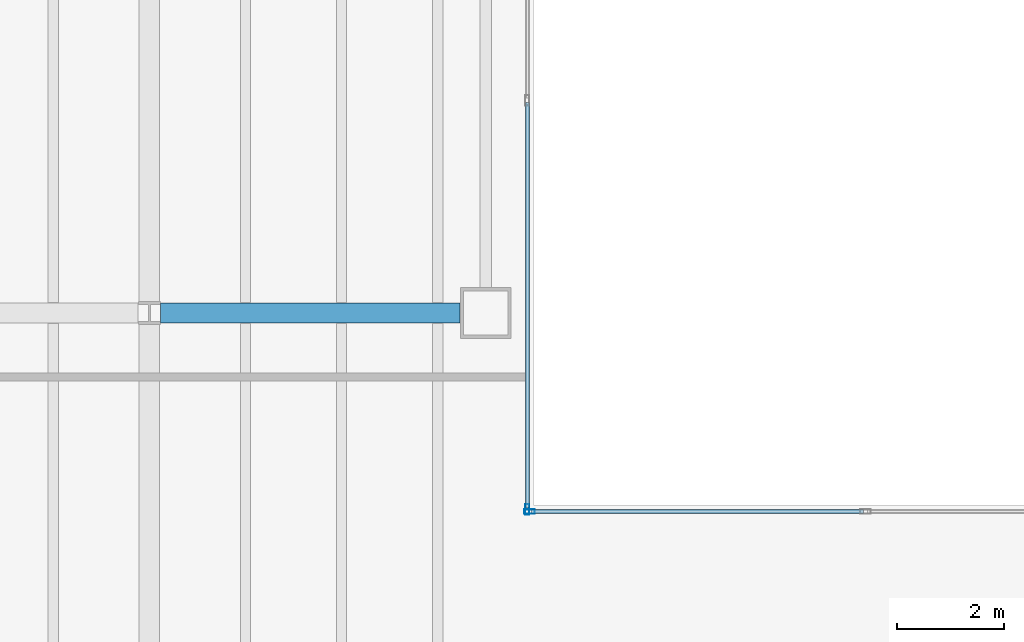
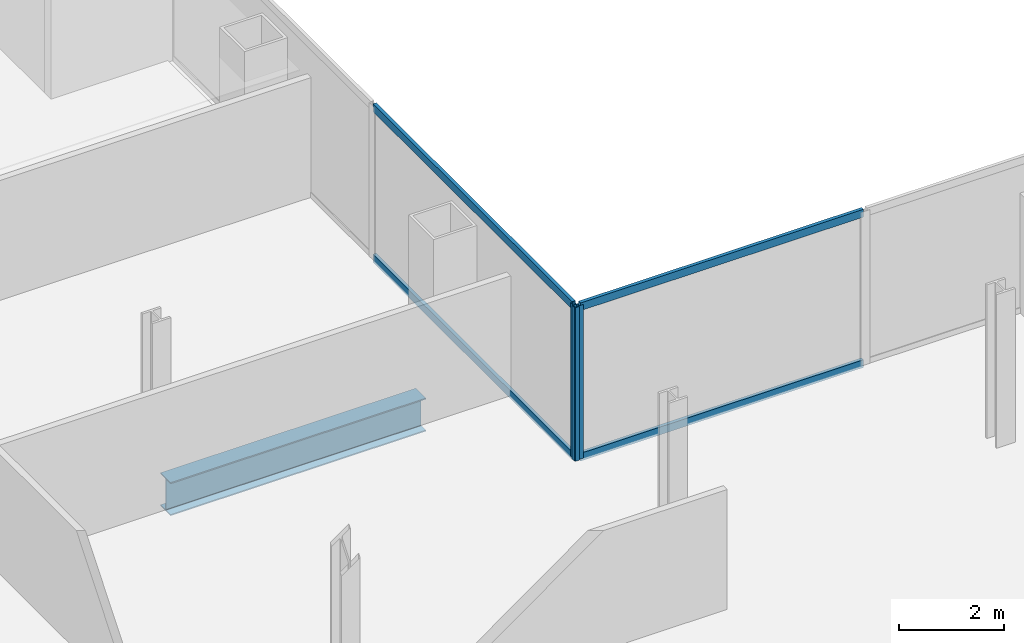
# One storey, part 6 of 24: 6 members, 1 beam, 2 elements without a shape of their own.
"""IFC4 building model written with IfcOpenShell, lengths in metres."""

from ifc_helpers import new_model, si_unit, direction, frame, origin, origin_2d, place, context, subcontext, project, spatial, hollow_rectangle, i_section, extrude, material, material_profile, profile_set, type_object, element, aggregate, save


model = new_model("IFC4")

# Units and contexts
model_context = context("Model", 3, precision=1e-05, world=origin(), true_north=direction((0.0, 1.0)))
body_context = subcontext(model_context, "Body", "Model", "MODEL_VIEW")
ifc_project = project(units=[si_unit("LENGTHUNIT", "METRE"), si_unit("AREAUNIT", "SQUARE_METRE"), si_unit("VOLUMEUNIT", "CUBIC_METRE"), si_unit("PLANEANGLEUNIT", "RADIAN"), si_unit("MASSUNIT", "GRAM", prefix="KILO")], contexts=[model_context])

# Site, building, storey
site_placement = place(None, origin())
site = spatial("IfcSite", under=ifc_project, at=site_placement, CompositionType="ELEMENT")
building_placement = place(site_placement, origin())
building = spatial("IfcBuilding", under=site, at=building_placement, Name="Cobrela Telecom Tower", CompositionType="ELEMENT")
storey_placement = place(building_placement, frame((0.0, 0.0, 85.050048828125)))
storey = spatial("IfcBuildingStorey", under=building, at=storey_placement, Name="L21", CompositionType="ELEMENT", Elevation=85.050048828125)

# Beam
ifc_material_1 = material(Name="Steel ASTM A992 Grade 50", Category="steel")
ifc_material_profile_1 = material_profile(ifc_material_1, i_section(OverallWidth=0.381103515625, OverallDepth=0.77197265625, WebThickness=0.0166015625, FlangeThickness=0.027099609375, FilletRadius=0.01904296875, at=origin_2d()), Name="W30X173")
ifc_profile_set_1 = profile_set([ifc_material_profile_1], Name="Steel ASTM A992 Grade 50")
beam_type = type_object("IfcBeamType", Name="BM-GIRD-04", PredefinedType="USERDEFINED", material=ifc_profile_set_1)
beam_placement = place(storey_placement, frame((21.8095703125, 28.800048828125, -0.666015625), z_axis=(1.0, 0.0, 0.0), x_axis=(0.0, 1.0, 0.0)))
element("IfcBeam", 1, at=beam_placement, inside=storey, type_object=beam_type, Name="L21 Primary Girder X24", ObjectType="GIRDER", PredefinedType="USERDEFINED", context=body_context, shape_type="SweptSolid", body=[
    extrude(i_section(OverallWidth=0.381103515625, OverallDepth=0.77197265625, WebThickness=0.0166015625, FlangeThickness=0.027099609375, FilletRadius=0.01904296875, at=origin_2d()), origin(), (0.0, 0.0, 1.0), 5.6103515625),
])

# Curtain wall, member
ifc_material_2 = material(Name="Anodized Bronze Aluminium 6063-T6", Category="aluminium")
curtain_wall_type = type_object("IfcCurtainWallType", Name="CW-SYS-DATA", PredefinedType="USERDEFINED", material=ifc_material_2)
curtain_wall_1_placement = place(storey_placement, origin())
curtain_wall_1 = element("IfcCurtainWall", 2, at=curtain_wall_1_placement, inside=storey, type_object=curtain_wall_type, Name="L21 Unitised Bronze Curtain Wall 10", ObjectType="UNITISED CURTAIN WALL", PredefinedType="USERDEFINED")
ifc_material_profile_2 = material_profile(ifc_material_2, hollow_rectangle(XDim=0.080078125, YDim=0.199951171875, WallThickness=0.00390625, at=origin_2d()), Name="ALU 80x200x4")
ifc_profile_set_2 = profile_set([ifc_material_profile_2], Name="Anodized Bronze Aluminium 6063-T6")
member_type_1 = type_object("IfcMemberType", Name="CW-SYS-DATA-MUL", PredefinedType="MULLION", material=ifc_profile_set_2)
member_1_placement = place(storey_placement, frame((28.679931640625, 25.1201171875, 0.0), z_axis=(0.0, 0.0, 1.0), x_axis=(1.0, 0.0, 0.0)))
member_1 = element("IfcMember", 3, at=member_1_placement, type_object=member_type_1, Name="CW-DATA mullion 3", PredefinedType="MULLION", context=body_context, shape_type="SweptSolid", body=[
    extrude(hollow_rectangle(XDim=0.080078125, YDim=0.199951171875, WallThickness=0.00390625, at=origin_2d()), origin(), (0.0, 0.0, 1.0), 3.570068359375),
])

curtain_wall_2_placement = place(storey_placement, origin())
curtain_wall_2 = element("IfcCurtainWall", 4, at=curtain_wall_2_placement, inside=storey, type_object=curtain_wall_type, Name="L21 Unitised Bronze Curtain Wall 11", ObjectType="UNITISED CURTAIN WALL", PredefinedType="USERDEFINED")
member_2_placement = place(storey_placement, frame((28.719970703125, 25.080078125, 0.0), z_axis=(0.0, 0.0, 1.0), x_axis=(0.0, 1.0, 0.0)))
member_2 = element("IfcMember", 5, at=member_2_placement, type_object=member_type_1, Name="CW-DATA mullion 1", PredefinedType="MULLION", context=body_context, shape_type="SweptSolid", body=[
    extrude(hollow_rectangle(XDim=0.080078125, YDim=0.199951171875, WallThickness=0.00390625, at=origin_2d()), origin(), (0.0, 0.0, 1.0), 3.570068359375),
])

# Member
ifc_material_profile_3 = material_profile(ifc_material_2, hollow_rectangle(XDim=0.074951171875, YDim=0.179931640625, WallThickness=0.00390625, at=origin_2d()), Name="ALU 75x180x4")
ifc_profile_set_3 = profile_set([ifc_material_profile_3], Name="Anodized Bronze Aluminium 6063-T6")
member_type_2 = type_object("IfcMemberType", Name="CW-SYS-DATA-TRN", PredefinedType="USERDEFINED", material=ifc_profile_set_3)
member_3_placement = place(storey_placement, frame((28.679931640625, 32.7451171875, 0.037353515625), z_axis=(0.0, -1.0, 0.0), x_axis=(1.0, 0.0, 0.0)))
member_3 = element("IfcMember", 6, at=member_3_placement, type_object=member_type_2, Name="CW-DATA transom 2.1", ObjectType="TRANSOM", PredefinedType="USERDEFINED", context=body_context, shape_type="SweptSolid", body=[
    extrude(hollow_rectangle(XDim=0.074951171875, YDim=0.179931640625, WallThickness=0.00390625, at=origin_2d()), origin(), (0.0, 0.0, 1.0), 7.585205078125),
])

member_4_placement = place(storey_placement, frame((28.679931640625, 32.7451171875, 3.532470703125), z_axis=(0.0, -1.0, 0.0), x_axis=(1.0, 0.0, 0.0)))
member_4 = element("IfcMember", 7, at=member_4_placement, type_object=member_type_2, Name="CW-DATA transom 2.2", ObjectType="TRANSOM", PredefinedType="USERDEFINED", context=body_context, shape_type="SweptSolid", body=[
    extrude(hollow_rectangle(XDim=0.074951171875, YDim=0.179931640625, WallThickness=0.00390625, at=origin_2d()), origin(), (0.0, 0.0, 1.0), 7.585205078125),
])

aggregate(curtain_wall_1, [member_1, member_3, member_4])

member_5_placement = place(storey_placement, frame((28.760009765625, 25.080078125, 0.037353515625), z_axis=(1.0, 0.0, 0.0), x_axis=(0.0, 1.0, 0.0)))
member_5 = element("IfcMember", 8, at=member_5_placement, type_object=member_type_2, Name="CW-DATA transom 1.1", ObjectType="TRANSOM", PredefinedType="USERDEFINED", context=body_context, shape_type="SweptSolid", body=[
    extrude(hollow_rectangle(XDim=0.074951171875, YDim=0.179931640625, WallThickness=0.00390625, at=origin_2d()), origin(), (0.0, 0.0, 1.0), 6.216552734375),
])

member_6_placement = place(storey_placement, frame((28.760009765625, 25.080078125, 3.532470703125), z_axis=(1.0, 0.0, 0.0), x_axis=(0.0, 1.0, 0.0)))
member_6 = element("IfcMember", 9, at=member_6_placement, type_object=member_type_2, Name="CW-DATA transom 1.2", ObjectType="TRANSOM", PredefinedType="USERDEFINED", context=body_context, shape_type="SweptSolid", body=[
    extrude(hollow_rectangle(XDim=0.074951171875, YDim=0.179931640625, WallThickness=0.00390625, at=origin_2d()), origin(), (0.0, 0.0, 1.0), 6.216552734375),
])

aggregate(curtain_wall_2, [member_2, member_5, member_6])

save(model, "model.ifc")
